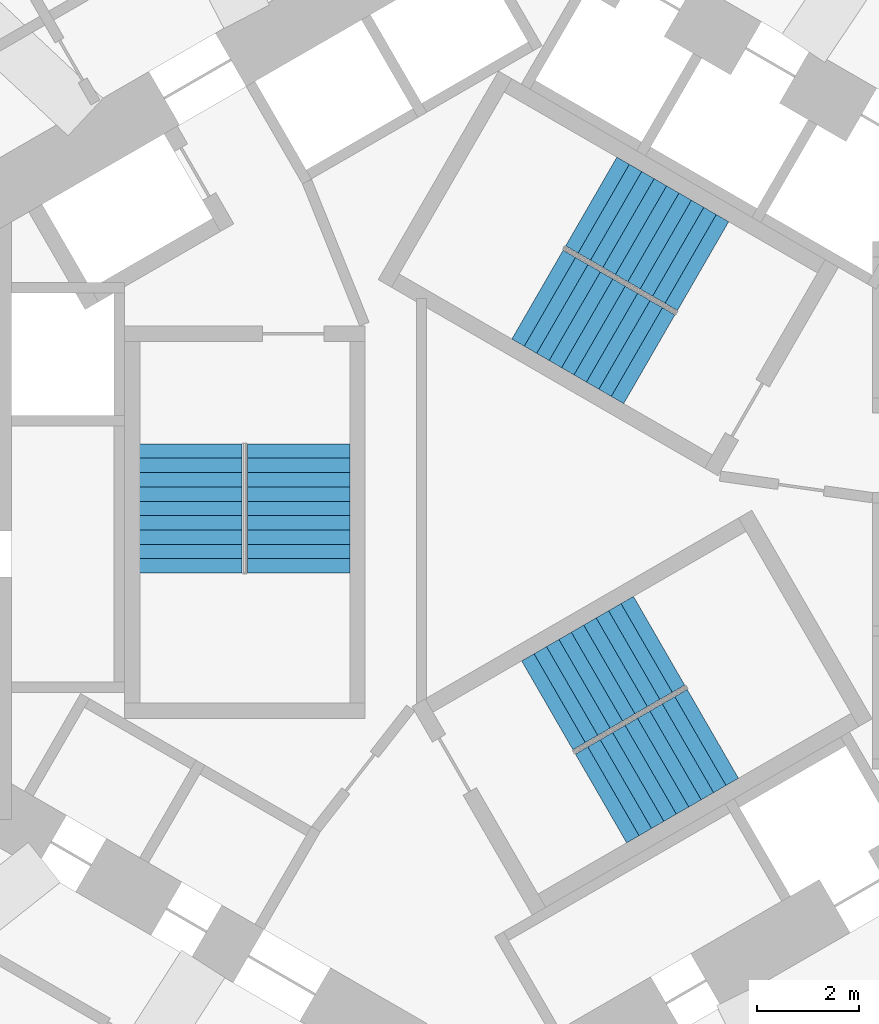
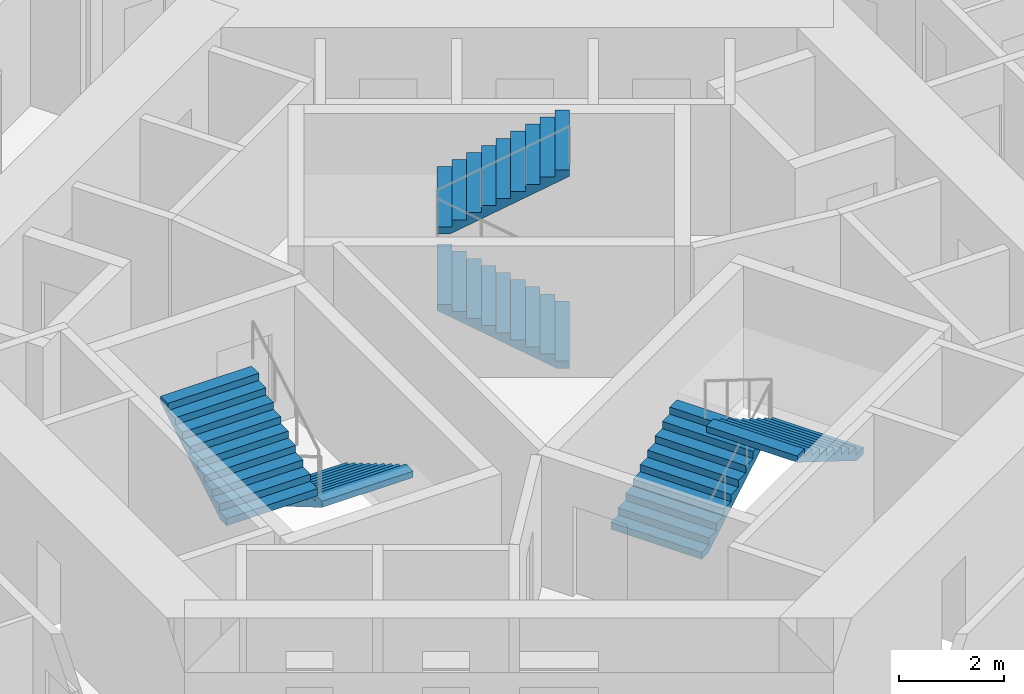
# One storey, part 10 of 12: 6 stair flights, 3 elements without a shape of their own.
"""IFC4 building model written with IfcOpenShell, lengths in metres."""

from ifc_helpers import new_model, si_unit, direction, frame, origin, place, context, subcontext, project, spatial, triangles, source, transform, mapped, material, type_object, element, aggregate, save


model = new_model("IFC4")

# Units and contexts
model_context = context("Model", 3, precision=1e-05, world=origin(), true_north=direction((0.0, 1.0)))
body_context = subcontext(model_context, "Body", "Model", "MODEL_VIEW")
ifc_project = project(units=[si_unit("LENGTHUNIT", "METRE"), si_unit("AREAUNIT", "SQUARE_METRE"), si_unit("VOLUMEUNIT", "CUBIC_METRE"), si_unit("PLANEANGLEUNIT", "RADIAN"), si_unit("MASSUNIT", "GRAM", prefix="KILO")], contexts=[model_context])

# Site, building, storey
site_placement = place(None, origin())
site = spatial("IfcSite", under=ifc_project, at=site_placement, CompositionType="ELEMENT")
building_placement = place(site_placement, origin())
building = spatial("IfcBuilding", under=site, at=building_placement, Name="Vanh Sen Convention Tower", CompositionType="ELEMENT")
storey_placement = place(building_placement, frame((0.0, 0.0, 53.89990234375)))
storey = spatial("IfcBuildingStorey", under=building, at=storey_placement, Name="L10", CompositionType="ELEMENT", Elevation=53.89990234375)

# Stair, stair flights
ifc_material_1 = material(Name="Concrete C50/60", Category="concrete")
stair_type_1 = type_object("IfcStairType", Name="Exit stair ST1 20 risers at 165.0", PredefinedType="HALF_TURN_STAIR", material=ifc_material_1)
stair_1_placement = place(storey_placement, origin())
stair_1 = element("IfcStair", 1, at=stair_1_placement, inside=storey, type_object=stair_type_1, Name="Exit stair ST1 L10", PredefinedType="HALF_TURN_STAIR")
ifc_material_2 = material(Name="Concrete C40/50", Category="concrete")
stair_flight_type = type_object("IfcStairFlightType", Name="Stair flight 2000", PredefinedType="STRAIGHT", material=ifc_material_2)
shared_shape = source(origin(), body_context, "Body", "Tessellation", [
    triangles([(0.24609375, 1.0, 0.0), (0.0, 1.0, 0.0), (0.0, 1.0, 0.1650390625), (0.280029296875, 1.0, 0.1650390625), (0.280029296875, 1.0, 0.330078125), (0.56005859375, 1.0, 0.330078125), (0.56005859375, 1.0, 0.4951171875), (0.840087890625, 1.0, 0.4951171875), (0.840087890625, 1.0, 0.659912109375), (1.1201171875, 1.0, 0.659912109375), (1.1201171875, 1.0, 0.824951171875), (1.39990234375, 1.0, 0.824951171875), (1.39990234375, 1.0, 0.989990234375), (1.679931640625, 1.0, 0.989990234375), (1.679931640625, 1.0, 1.155029296875), (1.9599609375, 1.0, 1.155029296875), (1.9599609375, 1.0, 1.320068359375), (2.239990234375, 1.0, 1.320068359375), (2.239990234375, 1.0, 1.485107421875), (2.52001953125, 1.0, 1.485107421875), (2.52001953125, 1.0, 1.33984375), (0.24609375, -1.0, 0.0), (0.0, -1.0, 0.0), (0.0, -1.0, 0.1650390625), (0.280029296875, -1.0, 0.1650390625), (0.280029296875, -1.0, 0.330078125), (0.56005859375, -1.0, 0.330078125), (0.56005859375, -1.0, 0.4951171875), (0.840087890625, -1.0, 0.4951171875), (0.840087890625, -1.0, 0.659912109375), (1.1201171875, -1.0, 0.659912109375), (1.1201171875, -1.0, 0.824951171875), (1.39990234375, -1.0, 0.824951171875), (1.39990234375, -1.0, 0.989990234375), (1.679931640625, -1.0, 0.989990234375), (1.679931640625, -1.0, 1.155029296875), (1.9599609375, -1.0, 1.155029296875), (1.9599609375, -1.0, 1.320068359375), (2.239990234375, -1.0, 1.320068359375), (2.239990234375, -1.0, 1.485107421875), (2.52001953125, -1.0, 1.485107421875), (2.52001953125, -1.0, 1.33984375), (0.0, 0.0400390625, 0.0), (0.0, 0.0390625, 0.0), (0.0, 0.0380859375, 0.0), (0.0, 0.037109375, 0.0), (0.0, 0.035888671875, 0.0), (0.0, 0.034912109375, 0.0), (0.0, 0.033935546875, 0.0), (0.0, 0.032958984375, 0.0), (0.0, 0.031982421875, 0.0), (0.0, 0.031005859375, 0.0), (0.0, 0.030029296875, 0.0), (0.0, 0.029052734375, 0.0), (0.0, 0.028076171875, 0.0), (0.0, 0.027099609375, 0.0), (0.0, 0.02587890625, 0.0), (0.0, 0.02490234375, 0.0), (0.0, 0.02392578125, 0.0), (0.0, 0.02294921875, 0.0), (0.0, 0.02197265625, 0.0), (0.0, 0.02099609375, 0.0), (0.0, 0.02001953125, 0.0), (0.0, 0.01904296875, 0.0), (0.0, 0.01806640625, 0.0), (0.0, 0.01708984375, 0.0), (0.0, 0.01611328125, 0.0), (0.0, 0.014892578125, 0.0), (0.0, 0.013916015625, 0.0), (0.0, 0.012939453125, 0.0), (0.0, 0.011962890625, 0.0), (0.0, 0.010986328125, 0.0), (0.0, 0.010009765625, 0.0), (0.0, 0.009033203125, 0.0), (0.0, 0.008056640625, 0.0), (0.0, 0.007080078125, 0.0), (0.0, 0.006103515625, 0.0), (0.0, 0.0048828125, 0.0), (0.0, 0.00390625, 0.0), (0.0, 0.0029296875, 0.0), (0.0, 0.001953125, 0.0), (0.0, 0.0009765625, 0.0), (0.0, 0.0, 0.0), (0.0, -0.0009765625, 0.0), (0.0, -0.001953125, 0.0), (0.0, -0.0029296875, 0.0), (0.0, -0.00390625, 0.0), (0.0, -0.0048828125, 0.0), (0.0, -0.006103515625, 0.0), (0.0, -0.007080078125, 0.0), (0.0, -0.008056640625, 0.0), (0.0, -0.009033203125, 0.0), (0.0, -0.010009765625, 0.0), (0.0, -0.010986328125, 0.0), (0.0, -0.011962890625, 0.0), (0.0, -0.012939453125, 0.0), (0.0, -0.013916015625, 0.0), (0.0, -0.014892578125, 0.0), (0.0, -0.01611328125, 0.0), (0.0, -0.01708984375, 0.0), (0.0, -0.01806640625, 0.0), (0.0, -0.01904296875, 0.0), (0.0, -0.02001953125, 0.0), (0.0, -0.02099609375, 0.0), (0.0, -0.02197265625, 0.0), (0.0, -0.02294921875, 0.0), (0.0, -0.02392578125, 0.0), (0.0, -0.02490234375, 0.0), (0.0, -0.02587890625, 0.0), (0.0, -0.027099609375, 0.0), (0.0, -0.028076171875, 0.0), (0.0, -0.029052734375, 0.0), (0.0, -0.030029296875, 0.0), (0.0, -0.031005859375, 0.0), (0.0, -0.031982421875, 0.0), (0.0, -0.032958984375, 0.0), (0.0, -0.033935546875, 0.0), (0.0, -0.034912109375, 0.0), (0.0, -0.035888671875, 0.0), (0.0, -0.037109375, 0.0), (0.0, -0.0380859375, 0.0), (0.0, -0.0390625, 0.0), (0.0, -0.0400390625, 0.0), (0.0, 0.0400390625, 0.1650390625), (0.0, 0.0390625, 0.1650390625), (0.0, 0.0380859375, 0.1650390625), (0.0, 0.037109375, 0.1650390625), (0.0, 0.035888671875, 0.1650390625), (0.0, 0.034912109375, 0.1650390625), (0.0, 0.033935546875, 0.1650390625), (0.0, 0.032958984375, 0.1650390625), (0.0, 0.031982421875, 0.1650390625), (0.0, 0.031005859375, 0.1650390625), (0.0, 0.030029296875, 0.1650390625), (0.0, 0.029052734375, 0.1650390625), (0.0, 0.028076171875, 0.1650390625), (0.0, 0.027099609375, 0.1650390625), (0.0, 0.02587890625, 0.1650390625), (0.0, 0.02490234375, 0.1650390625), (0.0, 0.02392578125, 0.1650390625), (0.0, 0.02294921875, 0.1650390625), (0.0, 0.02197265625, 0.1650390625), (0.0, 0.02099609375, 0.1650390625), (0.0, 0.02001953125, 0.1650390625), (0.0, 0.01904296875, 0.1650390625), (0.0, 0.01806640625, 0.1650390625), (0.0, 0.01708984375, 0.1650390625), (0.0, 0.01611328125, 0.1650390625), (0.0, 0.014892578125, 0.1650390625), (0.0, 0.013916015625, 0.1650390625), (0.0, 0.012939453125, 0.1650390625), (0.0, 0.011962890625, 0.1650390625), (0.0, 0.010986328125, 0.1650390625), (0.0, 0.010009765625, 0.1650390625), (0.0, 0.009033203125, 0.1650390625), (0.0, 0.008056640625, 0.1650390625), (0.0, 0.007080078125, 0.1650390625), (0.0, 0.006103515625, 0.1650390625), (0.0, 0.0048828125, 0.1650390625), (0.0, 0.00390625, 0.1650390625), (0.0, 0.0029296875, 0.1650390625), (0.0, 0.001953125, 0.1650390625), (0.0, 0.0009765625, 0.1650390625), (0.0, 0.0, 0.1650390625), (0.0, -0.0009765625, 0.1650390625), (0.0, -0.001953125, 0.1650390625), (0.0, -0.0029296875, 0.1650390625), (0.0, -0.00390625, 0.1650390625), (0.0, -0.0048828125, 0.1650390625), (0.0, -0.006103515625, 0.1650390625), (0.0, -0.007080078125, 0.1650390625), (0.0, -0.008056640625, 0.1650390625), (0.0, -0.009033203125, 0.1650390625), (0.0, -0.010009765625, 0.1650390625), (0.0, -0.010986328125, 0.1650390625), (0.0, -0.011962890625, 0.1650390625), (0.0, -0.012939453125, 0.1650390625), (0.0, -0.013916015625, 0.1650390625), (0.0, -0.014892578125, 0.1650390625), (0.0, -0.01611328125, 0.1650390625), (0.0, -0.01708984375, 0.1650390625), (0.0, -0.01806640625, 0.1650390625), (0.0, -0.01904296875, 0.1650390625), (0.0, -0.02001953125, 0.1650390625), (0.0, -0.02099609375, 0.1650390625), (0.0, -0.02197265625, 0.1650390625), (0.0, -0.02294921875, 0.1650390625), (0.0, -0.02392578125, 0.1650390625), (0.0, -0.02490234375, 0.1650390625), (0.0, -0.02587890625, 0.1650390625), (0.0, -0.027099609375, 0.1650390625), (0.0, -0.028076171875, 0.1650390625), (0.0, -0.029052734375, 0.1650390625), (0.0, -0.030029296875, 0.1650390625), (0.0, -0.031005859375, 0.1650390625), (0.0, -0.031982421875, 0.1650390625), (0.0, -0.032958984375, 0.1650390625), (0.0, -0.033935546875, 0.1650390625), (0.0, -0.034912109375, 0.1650390625), (0.0, -0.035888671875, 0.1650390625), (0.0, -0.037109375, 0.1650390625), (0.0, -0.0380859375, 0.1650390625), (0.0, -0.0390625, 0.1650390625), (0.0, -0.0400390625, 0.1650390625), (0.280029296875, 0.0, 0.1650390625), (0.280029296875, 0.0, 0.330078125), (0.56005859375, 0.0, 0.330078125), (0.56005859375, 0.0, 0.4951171875), (0.840087890625, 0.0, 0.4951171875), (0.840087890625, 0.0, 0.659912109375), (1.1201171875, 0.0, 0.659912109375), (1.1201171875, 0.0, 0.824951171875), (1.39990234375, 0.0, 0.824951171875), (1.39990234375, 0.0, 0.989990234375), (1.679931640625, 0.0, 0.989990234375), (1.679931640625, 0.0, 1.155029296875), (1.9599609375, 0.0, 1.155029296875), (1.9599609375, 0.0, 1.320068359375), (2.239990234375, 0.0, 1.320068359375), (2.239990234375, 0.0, 1.485107421875), (2.52001953125, 0.0400390625, 1.485107421875), (2.52001953125, 0.0390625, 1.485107421875), (2.52001953125, 0.0380859375, 1.485107421875), (2.52001953125, 0.037109375, 1.485107421875), (2.52001953125, 0.035888671875, 1.485107421875), (2.52001953125, 0.034912109375, 1.485107421875), (2.52001953125, 0.033935546875, 1.485107421875), (2.52001953125, 0.032958984375, 1.485107421875), (2.52001953125, 0.031982421875, 1.485107421875), (2.52001953125, 0.031005859375, 1.485107421875), (2.52001953125, 0.030029296875, 1.485107421875), (2.52001953125, 0.029052734375, 1.485107421875), (2.52001953125, 0.028076171875, 1.485107421875), (2.52001953125, 0.027099609375, 1.485107421875), (2.52001953125, 0.02587890625, 1.485107421875), (2.52001953125, 0.02490234375, 1.485107421875), (2.52001953125, 0.02392578125, 1.485107421875), (2.52001953125, 0.02294921875, 1.485107421875), (2.52001953125, 0.02197265625, 1.485107421875), (2.52001953125, 0.02099609375, 1.485107421875), (2.52001953125, 0.02001953125, 1.485107421875), (2.52001953125, 0.01904296875, 1.485107421875), (2.52001953125, 0.01806640625, 1.485107421875), (2.52001953125, 0.01708984375, 1.485107421875), (2.52001953125, 0.01611328125, 1.485107421875), (2.52001953125, 0.014892578125, 1.485107421875), (2.52001953125, 0.013916015625, 1.485107421875), (2.52001953125, 0.012939453125, 1.485107421875), (2.52001953125, 0.011962890625, 1.485107421875), (2.52001953125, 0.010986328125, 1.485107421875), (2.52001953125, 0.010009765625, 1.485107421875), (2.52001953125, 0.009033203125, 1.485107421875), (2.52001953125, 0.008056640625, 1.485107421875), (2.52001953125, 0.007080078125, 1.485107421875), (2.52001953125, 0.006103515625, 1.485107421875), (2.52001953125, 0.0048828125, 1.485107421875), (2.52001953125, 0.00390625, 1.485107421875), (2.52001953125, 0.0029296875, 1.485107421875), (2.52001953125, 0.001953125, 1.485107421875), (2.52001953125, 0.0009765625, 1.485107421875), (2.52001953125, 0.0, 1.485107421875), (2.52001953125, -0.0009765625, 1.485107421875), (2.52001953125, -0.001953125, 1.485107421875), (2.52001953125, -0.0029296875, 1.485107421875), (2.52001953125, -0.00390625, 1.485107421875), (2.52001953125, -0.0048828125, 1.485107421875), (2.52001953125, -0.006103515625, 1.485107421875), (2.52001953125, -0.007080078125, 1.485107421875), (2.52001953125, -0.008056640625, 1.485107421875), (2.52001953125, -0.009033203125, 1.485107421875), (2.52001953125, -0.010009765625, 1.485107421875), (2.52001953125, -0.010986328125, 1.485107421875), (2.52001953125, -0.011962890625, 1.485107421875), (2.52001953125, -0.012939453125, 1.485107421875), (2.52001953125, -0.013916015625, 1.485107421875), (2.52001953125, -0.014892578125, 1.485107421875), (2.52001953125, -0.01611328125, 1.485107421875), (2.52001953125, -0.01708984375, 1.485107421875), (2.52001953125, -0.01806640625, 1.485107421875), (2.52001953125, -0.01904296875, 1.485107421875), (2.52001953125, -0.02001953125, 1.485107421875), (2.52001953125, -0.02099609375, 1.485107421875), (2.52001953125, -0.02197265625, 1.485107421875), (2.52001953125, -0.02294921875, 1.485107421875), (2.52001953125, -0.02392578125, 1.485107421875), (2.52001953125, -0.02490234375, 1.485107421875), (2.52001953125, -0.02587890625, 1.485107421875), (2.52001953125, -0.027099609375, 1.485107421875), (2.52001953125, -0.028076171875, 1.485107421875), (2.52001953125, -0.029052734375, 1.485107421875), (2.52001953125, -0.030029296875, 1.485107421875), (2.52001953125, -0.031005859375, 1.485107421875), (2.52001953125, -0.031982421875, 1.485107421875), (2.52001953125, -0.032958984375, 1.485107421875), (2.52001953125, -0.033935546875, 1.485107421875), (2.52001953125, -0.034912109375, 1.485107421875), (2.52001953125, -0.035888671875, 1.485107421875), (2.52001953125, -0.037109375, 1.485107421875), (2.52001953125, -0.0380859375, 1.485107421875), (2.52001953125, -0.0390625, 1.485107421875), (2.52001953125, -0.0400390625, 1.485107421875), (2.52001953125, 0.0400390625, 1.33984375), (2.52001953125, 0.0390625, 1.33984375), (2.52001953125, 0.0380859375, 1.33984375), (2.52001953125, 0.037109375, 1.33984375), (2.52001953125, 0.035888671875, 1.33984375), (2.52001953125, 0.034912109375, 1.33984375), (2.52001953125, 0.033935546875, 1.33984375), (2.52001953125, 0.032958984375, 1.33984375), (2.52001953125, 0.031982421875, 1.33984375), (2.52001953125, 0.031005859375, 1.33984375), (2.52001953125, 0.030029296875, 1.33984375), (2.52001953125, 0.029052734375, 1.33984375), (2.52001953125, 0.028076171875, 1.33984375), (2.52001953125, 0.027099609375, 1.33984375), (2.52001953125, 0.02587890625, 1.33984375), (2.52001953125, 0.02490234375, 1.33984375), (2.52001953125, 0.02392578125, 1.33984375), (2.52001953125, 0.02294921875, 1.33984375), (2.52001953125, 0.02197265625, 1.33984375), (2.52001953125, 0.02099609375, 1.33984375), (2.52001953125, 0.02001953125, 1.33984375), (2.52001953125, 0.01904296875, 1.33984375), (2.52001953125, 0.01806640625, 1.33984375), (2.52001953125, 0.01708984375, 1.33984375), (2.52001953125, 0.01611328125, 1.33984375), (2.52001953125, 0.014892578125, 1.33984375), (2.52001953125, 0.013916015625, 1.33984375), (2.52001953125, 0.012939453125, 1.33984375), (2.52001953125, 0.011962890625, 1.33984375), (2.52001953125, 0.010986328125, 1.33984375), (2.52001953125, 0.010009765625, 1.33984375), (2.52001953125, 0.009033203125, 1.33984375), (2.52001953125, 0.008056640625, 1.33984375), (2.52001953125, 0.007080078125, 1.33984375), (2.52001953125, 0.006103515625, 1.33984375), (2.52001953125, 0.0048828125, 1.33984375), (2.52001953125, 0.00390625, 1.33984375), (2.52001953125, 0.0029296875, 1.33984375), (2.52001953125, 0.001953125, 1.33984375), (2.52001953125, 0.0009765625, 1.33984375), (2.52001953125, 0.0, 1.33984375), (2.52001953125, -0.0009765625, 1.33984375), (2.52001953125, -0.001953125, 1.33984375), (2.52001953125, -0.0029296875, 1.33984375), (2.52001953125, -0.00390625, 1.33984375), (2.52001953125, -0.0048828125, 1.33984375), (2.52001953125, -0.006103515625, 1.33984375), (2.52001953125, -0.007080078125, 1.33984375), (2.52001953125, -0.008056640625, 1.33984375), (2.52001953125, -0.009033203125, 1.33984375), (2.52001953125, -0.010009765625, 1.33984375), (2.52001953125, -0.010986328125, 1.33984375), (2.52001953125, -0.011962890625, 1.33984375), (2.52001953125, -0.012939453125, 1.33984375), (2.52001953125, -0.013916015625, 1.33984375), (2.52001953125, -0.014892578125, 1.33984375), (2.52001953125, -0.01611328125, 1.33984375), (2.52001953125, -0.01708984375, 1.33984375), (2.52001953125, -0.01806640625, 1.33984375), (2.52001953125, -0.01904296875, 1.33984375), (2.52001953125, -0.02001953125, 1.33984375), (2.52001953125, -0.02099609375, 1.33984375), (2.52001953125, -0.02197265625, 1.33984375), (2.52001953125, -0.02294921875, 1.33984375), (2.52001953125, -0.02392578125, 1.33984375), (2.52001953125, -0.02490234375, 1.33984375), (2.52001953125, -0.02587890625, 1.33984375), (2.52001953125, -0.027099609375, 1.33984375), (2.52001953125, -0.028076171875, 1.33984375), (2.52001953125, -0.029052734375, 1.33984375), (2.52001953125, -0.030029296875, 1.33984375), (2.52001953125, -0.031005859375, 1.33984375), (2.52001953125, -0.031982421875, 1.33984375), (2.52001953125, -0.032958984375, 1.33984375), (2.52001953125, -0.033935546875, 1.33984375), (2.52001953125, -0.034912109375, 1.33984375), (2.52001953125, -0.035888671875, 1.33984375), (2.52001953125, -0.037109375, 1.33984375), (2.52001953125, -0.0380859375, 1.33984375), (2.52001953125, -0.0390625, 1.33984375), (2.52001953125, -0.0400390625, 1.33984375), (0.24609375, 0.0, 0.0)], [[1, 2, 3], [1, 3, 4], [4, 5, 6], [1, 4, 6], [6, 7, 8], [1, 6, 8], [8, 9, 10], [1, 8, 10], [10, 11, 12], [1, 10, 12], [12, 13, 14], [1, 12, 14], [14, 15, 16], [1, 14, 16], [16, 17, 18], [1, 16, 18], [18, 19, 20], [1, 18, 20], [20, 21, 1], [22, 24, 23], [22, 25, 24], [25, 27, 26], [22, 27, 25], [27, 29, 28], [22, 29, 27], [29, 31, 30], [22, 31, 29], [31, 33, 32], [22, 33, 31], [33, 35, 34], [22, 35, 33], [35, 37, 36], [22, 37, 35], [37, 39, 38], [22, 39, 37], [39, 41, 40], [22, 41, 39], [41, 22, 42], [2, 124, 3], [2, 43, 124], [43, 125, 124], [43, 44, 125], [44, 126, 125], [44, 45, 126], [45, 127, 126], [45, 46, 127], [46, 128, 127], [46, 47, 128], [47, 129, 128], [47, 48, 129], [48, 130, 129], [48, 49, 130], [49, 131, 130], [49, 50, 131], [50, 132, 131], [50, 51, 132], [51, 133, 132], [51, 52, 133], [52, 134, 133], [52, 53, 134], [53, 135, 134], [53, 54, 135], [54, 136, 135], [54, 55, 136], [55, 137, 136], [55, 56, 137], [56, 138, 137], [56, 57, 138], [57, 139, 138], [57, 58, 139], [58, 140, 139], [58, 59, 140], [59, 141, 140], [59, 60, 141], [60, 142, 141], [60, 61, 142], [61, 143, 142], [61, 62, 143], [62, 144, 143], [62, 63, 144], [63, 145, 144], [63, 64, 145], [64, 146, 145], [64, 65, 146], [65, 147, 146], [65, 66, 147], [66, 148, 147], [66, 67, 148], [67, 149, 148], [67, 68, 149], [68, 150, 149], [68, 69, 150], [69, 151, 150], [69, 70, 151], [70, 152, 151], [70, 71, 152], [71, 153, 152], [71, 72, 153], [72, 154, 153], [72, 73, 154], [73, 155, 154], [73, 74, 155], [74, 156, 155], [74, 75, 156], [75, 157, 156], [75, 76, 157], [76, 158, 157], [76, 77, 158], [77, 159, 158], [77, 78, 159], [78, 160, 159], [78, 79, 160], [79, 161, 160], [79, 80, 161], [80, 162, 161], [80, 81, 162], [81, 163, 162], [81, 82, 163], [82, 164, 163], [82, 83, 164], [83, 84, 164], [164, 84, 165], [84, 85, 165], [165, 85, 166], [85, 86, 166], [166, 86, 167], [86, 87, 167], [167, 87, 168], [87, 88, 168], [168, 88, 169], [88, 89, 169], [169, 89, 170], [89, 90, 170], [170, 90, 171], [90, 91, 171], [171, 91, 172], [91, 92, 172], [172, 92, 173], [92, 93, 173], [173, 93, 174], [93, 94, 174], [174, 94, 175], [94, 95, 175], [175, 95, 176], [95, 96, 176], [176, 96, 177], [96, 97, 177], [177, 97, 178], [97, 98, 178], [178, 98, 179], [98, 99, 179], [179, 99, 180], [99, 100, 180], [180, 100, 181], [100, 101, 181], [181, 101, 182], [101, 102, 182], [182, 102, 183], [102, 103, 183], [183, 103, 184], [103, 104, 184], [184, 104, 185], [104, 105, 185], [185, 105, 186], [105, 106, 186], [186, 106, 187], [106, 107, 187], [187, 107, 188], [107, 108, 188], [188, 108, 189], [108, 109, 189], [189, 109, 190], [109, 110, 190], [190, 110, 191], [110, 111, 191], [191, 111, 192], [111, 112, 192], [192, 112, 193], [112, 113, 193], [193, 113, 194], [113, 114, 194], [194, 114, 195], [114, 115, 195], [195, 115, 196], [115, 116, 196], [196, 116, 197], [116, 117, 197], [197, 117, 198], [117, 118, 198], [198, 118, 199], [118, 119, 199], [199, 119, 200], [119, 120, 200], [200, 120, 201], [120, 121, 201], [201, 121, 202], [121, 122, 202], [202, 122, 203], [122, 123, 203], [203, 123, 204], [123, 23, 204], [204, 23, 24], [4, 3, 124], [4, 124, 125], [4, 125, 126], [4, 126, 127], [4, 127, 128], [4, 128, 129], [4, 129, 130], [4, 130, 131], [4, 131, 132], [4, 132, 133], [4, 133, 134], [4, 134, 135], [4, 135, 136], [4, 136, 137], [4, 137, 138], [4, 138, 139], [4, 139, 140], [4, 140, 141], [4, 141, 142], [4, 142, 143], [4, 143, 144], [4, 144, 145], [4, 145, 146], [4, 146, 147], [4, 147, 148], [4, 148, 149], [4, 149, 150], [4, 150, 151], [4, 151, 152], [4, 152, 153], [4, 153, 154], [4, 154, 155], [4, 155, 156], [4, 156, 157], [4, 157, 158], [4, 158, 159], [4, 159, 160], [4, 160, 161], [4, 161, 162], [4, 162, 163], [4, 163, 164], [25, 164, 165], [25, 165, 166], [25, 166, 167], [25, 167, 168], [25, 168, 169], [25, 169, 170], [25, 170, 171], [25, 171, 172], [25, 172, 173], [25, 173, 174], [25, 174, 175], [25, 175, 176], [25, 176, 177], [25, 177, 178], [25, 178, 179], [25, 179, 180], [25, 180, 181], [25, 181, 182], [25, 182, 183], [25, 183, 184], [25, 184, 185], [25, 185, 186], [25, 186, 187], [25, 187, 188], [25, 188, 189], [25, 189, 190], [25, 190, 191], [25, 191, 192], [25, 192, 193], [25, 193, 194], [25, 194, 195], [25, 195, 196], [25, 196, 197], [25, 197, 198], [25, 198, 199], [25, 199, 200], [25, 200, 201], [25, 201, 202], [25, 202, 203], [25, 203, 204], [25, 204, 24], [4, 164, 205], [25, 205, 164], [4, 206, 5], [4, 205, 206], [205, 25, 206], [206, 25, 26], [5, 207, 6], [5, 206, 207], [206, 26, 207], [207, 26, 27], [6, 208, 7], [6, 207, 208], [207, 27, 208], [208, 27, 28], [7, 209, 8], [7, 208, 209], [208, 28, 209], [209, 28, 29], [8, 210, 9], [8, 209, 210], [209, 29, 210], [210, 29, 30], [9, 211, 10], [9, 210, 211], [210, 30, 211], [211, 30, 31], [10, 212, 11], [10, 211, 212], [211, 31, 212], [212, 31, 32], [11, 213, 12], [11, 212, 213], [212, 32, 213], [213, 32, 33], [12, 214, 13], [12, 213, 214], [213, 33, 214], [214, 33, 34], [13, 215, 14], [13, 214, 215], [214, 34, 215], [215, 34, 35], [14, 216, 15], [14, 215, 216], [215, 35, 216], [216, 35, 36], [15, 217, 16], [15, 216, 217], [216, 36, 217], [217, 36, 37], [16, 218, 17], [16, 217, 218], [217, 37, 218], [218, 37, 38], [17, 219, 18], [17, 218, 219], [218, 38, 219], [219, 38, 39], [18, 220, 19], [18, 219, 220], [219, 39, 220], [220, 39, 40], [19, 221, 20], [19, 222, 221], [19, 223, 222], [19, 224, 223], [19, 225, 224], [19, 226, 225], [19, 227, 226], [19, 228, 227], [19, 229, 228], [19, 230, 229], [19, 231, 230], [19, 232, 231], [19, 233, 232], [19, 234, 233], [19, 235, 234], [19, 236, 235], [19, 237, 236], [19, 238, 237], [19, 239, 238], [19, 240, 239], [19, 241, 240], [19, 242, 241], [19, 243, 242], [19, 244, 243], [19, 245, 244], [19, 246, 245], [19, 247, 246], [19, 248, 247], [19, 249, 248], [19, 250, 249], [19, 251, 250], [19, 252, 251], [19, 253, 252], [19, 254, 253], [19, 255, 254], [19, 256, 255], [19, 257, 256], [19, 258, 257], [19, 259, 258], [19, 260, 259], [19, 261, 260], [40, 262, 261], [40, 263, 262], [40, 264, 263], [40, 265, 264], [40, 266, 265], [40, 267, 266], [40, 268, 267], [40, 269, 268], [40, 270, 269], [40, 271, 270], [40, 272, 271], [40, 273, 272], [40, 274, 273], [40, 275, 274], [40, 276, 275], [40, 277, 276], [40, 278, 277], [40, 279, 278], [40, 280, 279], [40, 281, 280], [40, 282, 281], [40, 283, 282], [40, 284, 283], [40, 285, 284], [40, 286, 285], [40, 287, 286], [40, 288, 287], [40, 289, 288], [40, 290, 289], [40, 291, 290], [40, 292, 291], [40, 293, 292], [40, 294, 293], [40, 295, 294], [40, 296, 295], [40, 297, 296], [40, 298, 297], [40, 299, 298], [40, 300, 299], [40, 301, 300], [40, 41, 301], [19, 220, 261], [40, 261, 220], [20, 302, 21], [20, 221, 302], [221, 303, 302], [221, 222, 303], [222, 304, 303], [222, 223, 304], [223, 305, 304], [223, 224, 305], [224, 306, 305], [224, 225, 306], [225, 307, 306], [225, 226, 307], [226, 308, 307], [226, 227, 308], [227, 309, 308], [227, 228, 309], [228, 310, 309], [228, 229, 310], [229, 311, 310], [229, 230, 311], [230, 312, 311], [230, 231, 312], [231, 313, 312], [231, 232, 313], [232, 314, 313], [232, 233, 314], [233, 315, 314], [233, 234, 315], [234, 316, 315], [234, 235, 316], [235, 317, 316], [235, 236, 317], [236, 318, 317], [236, 237, 318], [237, 319, 318], [237, 238, 319], [238, 320, 319], [238, 239, 320], [239, 321, 320], [239, 240, 321], [240, 322, 321], [240, 241, 322], [241, 323, 322], [241, 242, 323], [242, 324, 323], [242, 243, 324], [243, 325, 324], [243, 244, 325], [244, 326, 325], [244, 245, 326], [245, 327, 326], [245, 246, 327], [246, 328, 327], [246, 247, 328], [247, 329, 328], [247, 248, 329], [248, 330, 329], [248, 249, 330], [249, 331, 330], [249, 250, 331], [250, 332, 331], [250, 251, 332], [251, 333, 332], [251, 252, 333], [252, 334, 333], [252, 253, 334], [253, 335, 334], [253, 254, 335], [254, 336, 335], [254, 255, 336], [255, 337, 336], [255, 256, 337], [256, 338, 337], [256, 257, 338], [257, 339, 338], [257, 258, 339], [258, 340, 339], [258, 259, 340], [259, 341, 340], [259, 260, 341], [260, 342, 341], [260, 261, 342], [261, 262, 342], [342, 262, 343], [262, 263, 343], [343, 263, 344], [263, 264, 344], [344, 264, 345], [264, 265, 345], [345, 265, 346], [265, 266, 346], [346, 266, 347], [266, 267, 347], [347, 267, 348], [267, 268, 348], [348, 268, 349], [268, 269, 349], [349, 269, 350], [269, 270, 350], [350, 270, 351], [270, 271, 351], [351, 271, 352], [271, 272, 352], [352, 272, 353], [272, 273, 353], [353, 273, 354], [273, 274, 354], [354, 274, 355], [274, 275, 355], [355, 275, 356], [275, 276, 356], [356, 276, 357], [276, 277, 357], [357, 277, 358], [277, 278, 358], [358, 278, 359], [278, 279, 359], [359, 279, 360], [279, 280, 360], [360, 280, 361], [280, 281, 361], [361, 281, 362], [281, 282, 362], [362, 282, 363], [282, 283, 363], [363, 283, 364], [283, 284, 364], [364, 284, 365], [284, 285, 365], [365, 285, 366], [285, 286, 366], [366, 286, 367], [286, 287, 367], [367, 287, 368], [287, 288, 368], [368, 288, 369], [288, 289, 369], [369, 289, 370], [289, 290, 370], [370, 290, 371], [290, 291, 371], [371, 291, 372], [291, 292, 372], [372, 292, 373], [292, 293, 373], [373, 293, 374], [293, 294, 374], [374, 294, 375], [294, 295, 375], [375, 295, 376], [295, 296, 376], [376, 296, 377], [296, 297, 377], [377, 297, 378], [297, 298, 378], [378, 298, 379], [298, 299, 379], [379, 299, 380], [299, 300, 380], [380, 300, 381], [300, 301, 381], [381, 301, 382], [301, 41, 382], [382, 41, 42], [1, 21, 302], [1, 302, 303], [1, 303, 304], [1, 304, 305], [1, 305, 306], [1, 306, 307], [1, 307, 308], [1, 308, 309], [1, 309, 310], [1, 310, 311], [1, 311, 312], [1, 312, 313], [1, 313, 314], [1, 314, 315], [1, 315, 316], [1, 316, 317], [1, 317, 318], [1, 318, 319], [1, 319, 320], [1, 320, 321], [1, 321, 322], [1, 322, 323], [1, 323, 324], [1, 324, 325], [1, 325, 326], [1, 326, 327], [1, 327, 328], [1, 328, 329], [1, 329, 330], [1, 330, 331], [1, 331, 332], [1, 332, 333], [1, 333, 334], [1, 334, 335], [1, 335, 336], [1, 336, 337], [1, 337, 338], [1, 338, 339], [1, 339, 340], [1, 340, 341], [1, 341, 342], [22, 342, 343], [22, 343, 344], [22, 344, 345], [22, 345, 346], [22, 346, 347], [22, 347, 348], [22, 348, 349], [22, 349, 350], [22, 350, 351], [22, 351, 352], [22, 352, 353], [22, 353, 354], [22, 354, 355], [22, 355, 356], [22, 356, 357], [22, 357, 358], [22, 358, 359], [22, 359, 360], [22, 360, 361], [22, 361, 362], [22, 362, 363], [22, 363, 364], [22, 364, 365], [22, 365, 366], [22, 366, 367], [22, 367, 368], [22, 368, 369], [22, 369, 370], [22, 370, 371], [22, 371, 372], [22, 372, 373], [22, 373, 374], [22, 374, 375], [22, 375, 376], [22, 376, 377], [22, 377, 378], [22, 378, 379], [22, 379, 380], [22, 380, 381], [22, 381, 382], [22, 382, 42], [1, 342, 383], [22, 383, 342], [1, 43, 2], [1, 44, 43], [1, 45, 44], [1, 46, 45], [1, 47, 46], [1, 48, 47], [1, 49, 48], [1, 50, 49], [1, 51, 50], [1, 52, 51], [1, 53, 52], [1, 54, 53], [1, 55, 54], [1, 56, 55], [1, 57, 56], [1, 58, 57], [1, 59, 58], [1, 60, 59], [1, 61, 60], [1, 62, 61], [1, 63, 62], [1, 64, 63], [1, 65, 64], [1, 66, 65], [1, 67, 66], [1, 68, 67], [1, 69, 68], [1, 70, 69], [1, 71, 70], [1, 72, 71], [1, 73, 72], [1, 74, 73], [1, 75, 74], [1, 76, 75], [1, 77, 76], [1, 78, 77], [1, 79, 78], [1, 80, 79], [1, 81, 80], [1, 82, 81], [1, 83, 82], [22, 84, 83], [22, 85, 84], [22, 86, 85], [22, 87, 86], [22, 88, 87], [22, 89, 88], [22, 90, 89], [22, 91, 90], [22, 92, 91], [22, 93, 92], [22, 94, 93], [22, 95, 94], [22, 96, 95], [22, 97, 96], [22, 98, 97], [22, 99, 98], [22, 100, 99], [22, 101, 100], [22, 102, 101], [22, 103, 102], [22, 104, 103], [22, 105, 104], [22, 106, 105], [22, 107, 106], [22, 108, 107], [22, 109, 108], [22, 110, 109], [22, 111, 110], [22, 112, 111], [22, 113, 112], [22, 114, 113], [22, 115, 114], [22, 116, 115], [22, 117, 116], [22, 118, 117], [22, 119, 118], [22, 120, 119], [22, 121, 120], [22, 122, 121], [22, 123, 122], [22, 23, 123], [1, 383, 83], [22, 83, 383]], closed=True),
])
stair_flight_1_placement = place(storey_placement, frame((2.94580078125, 2.802490234375, 0.0), z_axis=(0.0, 0.0, 1.0), x_axis=(-0.866025403784, 0.5, 0.0)))
stair_flight_1 = element("IfcStairFlight", 2, at=stair_flight_1_placement, type_object=stair_flight_type, Name="ST1 flight 1", NumberOfRisers=10, NumberOfTreads=9, PredefinedType="STRAIGHT", RiserHeight=0.165, TreadLength=0.28, context=body_context, shape_type="MappedRepresentation", body=[
    mapped(shared_shape, transform((0.0, 0.0, 0.0))),
])
stair_flight_2_placement = place(storey_placement, frame((1.8134765625, 5.881103515625, 1.650146484375), z_axis=(0.0, 0.0, 1.0), x_axis=(0.866025403784, -0.5, 0.0)))
stair_flight_2 = element("IfcStairFlight", 3, at=stair_flight_2_placement, type_object=stair_flight_type, Name="ST1 flight 2", NumberOfRisers=10, NumberOfTreads=9, PredefinedType="STRAIGHT", RiserHeight=0.165, TreadLength=0.28, context=body_context, shape_type="MappedRepresentation", body=[
    mapped(shared_shape, transform((0.0, 0.0, 0.0))),
])
aggregate(stair_1, [stair_flight_1, stair_flight_2])

stair_type_2 = type_object("IfcStairType", Name="Exit stair ST2 20 risers at 165.0", PredefinedType="HALF_TURN_STAIR", material=ifc_material_1)
stair_2_placement = place(storey_placement, origin())
stair_2 = element("IfcStair", 4, at=stair_2_placement, inside=storey, type_object=stair_type_2, Name="Exit stair ST2 L10", PredefinedType="HALF_TURN_STAIR")
stair_flight_3_placement = place(storey_placement, frame((-3.89990234375, 1.14990234375, 0.0), z_axis=(0.0, 0.0, 1.0), x_axis=(0.0, -1.0, 0.0)))
stair_flight_3 = element("IfcStairFlight", 5, at=stair_flight_3_placement, type_object=stair_flight_type, Name="ST2 flight 1", NumberOfRisers=10, NumberOfTreads=9, PredefinedType="STRAIGHT", RiserHeight=0.165, TreadLength=0.28, context=body_context, shape_type="MappedRepresentation", body=[
    mapped(shared_shape, transform((0.0, 0.0, 0.0))),
])
stair_flight_4_placement = place(storey_placement, frame((-6.0, -1.3701171875, 1.650146484375), z_axis=(0.0, 0.0, 1.0), x_axis=(0.0, 1.0, 0.0)))
stair_flight_4 = element("IfcStairFlight", 6, at=stair_flight_4_placement, type_object=stair_flight_type, Name="ST2 flight 2", NumberOfRisers=10, NumberOfTreads=9, PredefinedType="STRAIGHT", RiserHeight=0.165, TreadLength=0.28, context=body_context, shape_type="MappedRepresentation", body=[
    mapped(shared_shape, transform((0.0, 0.0, 0.0))),
])
aggregate(stair_2, [stair_flight_3, stair_flight_4])

stair_type_3 = type_object("IfcStairType", Name="Exit stair ST3 20 risers at 165.0", PredefinedType="HALF_TURN_STAIR", material=ifc_material_1)
stair_3_placement = place(storey_placement, origin())
stair_3 = element("IfcStair", 7, at=stair_3_placement, inside=storey, type_object=stair_type_3, Name="Exit stair ST3 L10", PredefinedType="HALF_TURN_STAIR")
stair_flight_5_placement = place(storey_placement, frame((0.9541015625, -3.952392578125, 0.0), z_axis=(0.0, 0.0, 1.0), x_axis=(0.866025403784, 0.5, 0.0)))
stair_flight_5 = element("IfcStairFlight", 8, at=stair_flight_5_placement, type_object=stair_flight_type, Name="ST3 flight 1", NumberOfRisers=10, NumberOfTreads=9, PredefinedType="STRAIGHT", RiserHeight=0.165, TreadLength=0.28, context=body_context, shape_type="MappedRepresentation", body=[
    mapped(shared_shape, transform((0.0, 0.0, 0.0))),
])
stair_flight_6_placement = place(storey_placement, frame((4.1865234375, -4.51123046875, 1.650146484375), z_axis=(0.0, 0.0, 1.0), x_axis=(-0.866025403784, -0.5, 0.0)))
stair_flight_6 = element("IfcStairFlight", 9, at=stair_flight_6_placement, type_object=stair_flight_type, Name="ST3 flight 2", NumberOfRisers=10, NumberOfTreads=9, PredefinedType="STRAIGHT", RiserHeight=0.165, TreadLength=0.28, context=body_context, shape_type="MappedRepresentation", body=[
    mapped(shared_shape, transform((0.0, 0.0, 0.0))),
])
aggregate(stair_3, [stair_flight_5, stair_flight_6])

save(model, "model.ifc")
